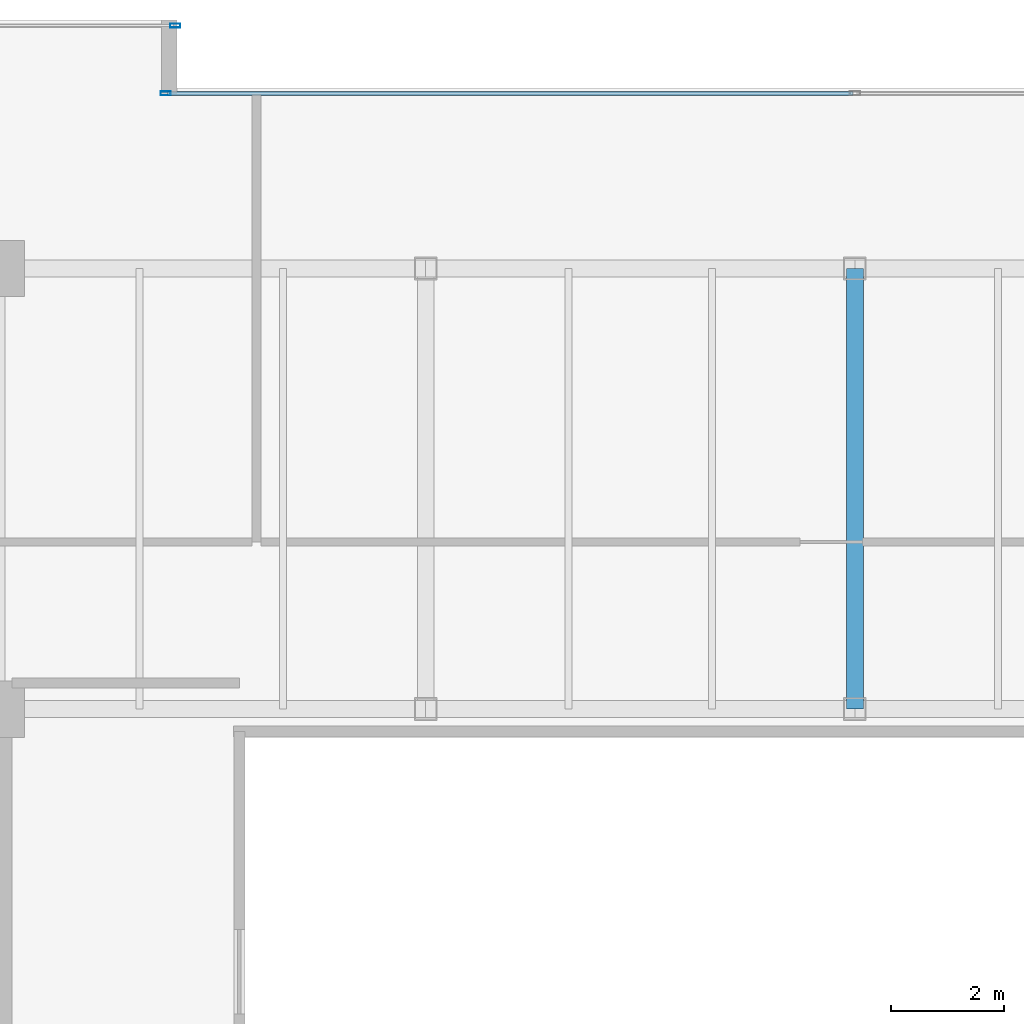
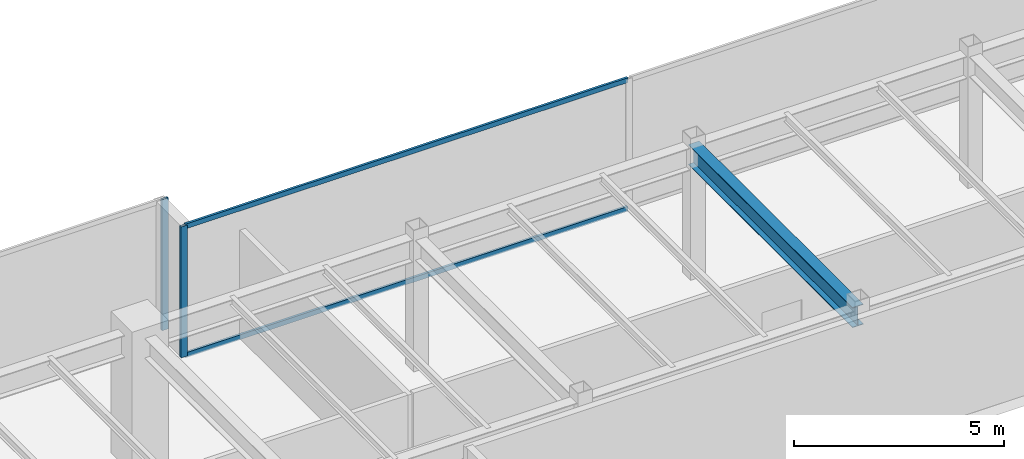
# One storey, part 17 of 33: 4 members, 1 beam, 2 elements without a shape of their own.
"""IFC4 building model written with IfcOpenShell, lengths in metres."""

from ifc_helpers import new_model, si_unit, direction, frame, origin, origin_2d, place, context, subcontext, project, spatial, hollow_rectangle, i_section, extrude, source, transform, mapped, material, layer, layer_set, material_profile, profile_set, type_object, type_shapes, element, aggregate, save


model = new_model("IFC4")

# Units and contexts
model_context = context("Model", 3, precision=1e-05, world=origin(), true_north=direction((0.0, 1.0)))
body_context = subcontext(model_context, "Body", "Model", "MODEL_VIEW")
ifc_project = project(units=[si_unit("LENGTHUNIT", "METRE"), si_unit("AREAUNIT", "SQUARE_METRE"), si_unit("VOLUMEUNIT", "CUBIC_METRE"), si_unit("PLANEANGLEUNIT", "RADIAN"), si_unit("MASSUNIT", "GRAM", prefix="KILO")], contexts=[model_context])

# Site, building, storey
site_placement = place(None, origin())
site = spatial("IfcSite", under=ifc_project, at=site_placement, CompositionType="ELEMENT")
building_placement = place(site_placement, origin())
building = spatial("IfcBuilding", under=site, at=building_placement, Name="Haelvirn Gate Laboratories", CompositionType="ELEMENT")
storey_placement = place(building_placement, frame((0.0, 0.0, 267.0)))
storey = spatial("IfcBuildingStorey", under=building, at=storey_placement, Name="L64", CompositionType="ELEMENT", Elevation=267.0)

# Beam
ifc_material_1 = material(Name="Steel SM355", Category="steel")
ifc_material_profile_1 = material_profile(ifc_material_1, i_section(OverallWidth=0.300048828125, OverallDepth=0.587890625, WebThickness=0.011962890625, FlangeThickness=0.02001953125, at=origin_2d()), Name="H-588x300x12x20")
ifc_profile_set_1 = profile_set([ifc_material_profile_1], Name="Steel SM355")
beam_type = type_object("IfcBeamType", Name="BM-G-588", PredefinedType="BEAM", material=ifc_profile_set_1)
shared_shape_1 = source(origin(), body_context, "Body", "SweptSolid", [
    extrude(i_section(OverallWidth=0.300048828125, OverallDepth=0.587890625, WebThickness=0.011962890625, FlangeThickness=0.02001953125, at=origin_2d()), origin(), (0.0, 0.0, 1.0), 7.800048828125),
])
type_shapes(beam_type, [shared_shape_1])
beam_placement = place(storey_placement, frame((37.39990234375, 33.800048828125, 3.506103515625), z_axis=(0.0, 1.0, 0.0), x_axis=(-1.0, 0.0, 0.0)))
element("IfcBeam", 1, at=beam_placement, inside=storey, type_object=beam_type, Name="L64 Frame Girder X37.4 (33.8-41.6)", PredefinedType="BEAM", context=body_context, shape_type="MappedRepresentation", body=[
    mapped(shared_shape_1, transform((0.0, 0.0, 0.0), scale=1.0)),
])

# Curtain wall, members
ifc_material_2 = material(Name="Anodised bronze unitised aluminium & triple low-E glass", Category="aluminium")
ifc_layer = layer(ifc_material_2, 0.176025390625, Name="CW-SYS-4")
ifc_layer_set = layer_set([ifc_layer], Name="Anodised bronze unitised aluminium & triple low-E glass")
curtain_wall_type = type_object("IfcCurtainWallType", Name="CW-SYS-4", PredefinedType="NOTDEFINED", material=ifc_layer_set)
curtain_wall_1_placement = place(storey_placement, origin())
curtain_wall_1 = element("IfcCurtainWall", 2, at=curtain_wall_1_placement, inside=storey, type_object=curtain_wall_type, Name="L64 Unitised Curtain Wall CW-L64-P0-E12-1", PredefinedType="NOTDEFINED")
ifc_material_3 = material(Name="Extruded aluminium 6063-T6 (anodised bronze)", Category="aluminium")
ifc_material_profile_2 = material_profile(ifc_material_3, hollow_rectangle(XDim=0.06494140625, YDim=0.139892578125, WallThickness=0.00390625, at=origin_2d()), Name="CWT-140x65x4")
ifc_profile_set_2 = profile_set([ifc_material_profile_2], Name="Extruded aluminium 6063-T6 (anodised bronze)")
member_type_1 = type_object("IfcMemberType", Name="CWT-T140", PredefinedType="USERDEFINED", material=ifc_profile_set_2)
shared_shape_2 = source(origin(), body_context, "Body", "SweptSolid", [
    extrude(hollow_rectangle(XDim=0.06494140625, YDim=0.139892578125, WallThickness=0.00390625, at=origin_2d()), origin(), (0.0, 0.0, 1.0), 12.135009765625),
])
type_shapes(member_type_1, [shared_shape_2])
member_1_placement = place(storey_placement, frame((25.22998046875, 44.699951171875, 0.032470703125), z_axis=(1.0, 0.0, 0.0), x_axis=(0.0, 1.0, 0.0)))
member_1 = element("IfcMember", 3, at=member_1_placement, type_object=member_type_1, Name="CW4 transom 1.1", ObjectType="TRANSOM", PredefinedType="USERDEFINED", context=body_context, shape_type="MappedRepresentation", body=[
    mapped(shared_shape_2, transform((0.0, 0.0, 0.0), scale=1.0)),
])
member_2_placement = place(storey_placement, frame((25.22998046875, 44.699951171875, 3.767578125), z_axis=(1.0, 0.0, 0.0), x_axis=(0.0, 1.0, 0.0)))
member_2 = element("IfcMember", 4, at=member_2_placement, type_object=member_type_1, Name="CW4 transom 1.2", ObjectType="TRANSOM", PredefinedType="USERDEFINED", context=body_context, shape_type="MappedRepresentation", body=[
    mapped(shared_shape_2, transform((0.0, 0.0, 0.0), scale=1.0)),
])
ifc_material_profile_3 = material_profile(ifc_material_3, hollow_rectangle(XDim=0.070068359375, YDim=0.179931640625, WallThickness=0.0048828125, at=origin_2d()), Name="CWM-180x70x5")
ifc_profile_set_3 = profile_set([ifc_material_profile_3], Name="Extruded aluminium 6063-T6 (anodised bronze)")
member_type_2 = type_object("IfcMemberType", Name="CWM-T180", PredefinedType="MULLION", material=ifc_profile_set_3)
shared_shape_3 = source(origin(), body_context, "Body", "SweptSolid", [
    extrude(hollow_rectangle(XDim=0.070068359375, YDim=0.179931640625, WallThickness=0.0048828125, at=origin_2d()), origin(), (0.0, 0.0, 1.0), 3.800048828125),
])
type_shapes(member_type_2, [shared_shape_3])
member_3_placement = place(storey_placement, frame((25.195068359375, 44.699951171875, 0.0), z_axis=(0.0, 0.0, 1.0), x_axis=(0.0, 1.0, 0.0)))
member_3 = element("IfcMember", 5, at=member_3_placement, type_object=member_type_2, Name="CW4 mullion 1", PredefinedType="MULLION", context=body_context, shape_type="MappedRepresentation", body=[
    mapped(shared_shape_3, transform((0.0, 0.0, 0.0), scale=1.0)),
])
aggregate(curtain_wall_1, [member_3, member_1, member_2])

# Curtain wall, member
curtain_wall_2_placement = place(storey_placement, origin())
curtain_wall_2 = element("IfcCurtainWall", 6, at=curtain_wall_2_placement, inside=storey, type_object=curtain_wall_type, Name="L64 Unitised Curtain Wall CW-L64-P0-E14-1", PredefinedType="NOTDEFINED")
member_4_placement = place(storey_placement, frame((25.364990234375, 45.89990234375, 0.0), z_axis=(0.0, 0.0, 1.0), x_axis=(0.0, 1.0, 0.0)))
member_4 = element("IfcMember", 7, at=member_4_placement, type_object=member_type_2, Name="CW4 mullion 3", PredefinedType="MULLION", context=body_context, shape_type="MappedRepresentation", body=[
    mapped(shared_shape_3, transform((0.0, 0.0, 0.0), scale=1.0)),
])
aggregate(curtain_wall_2, [member_4])

save(model, "model.ifc")
